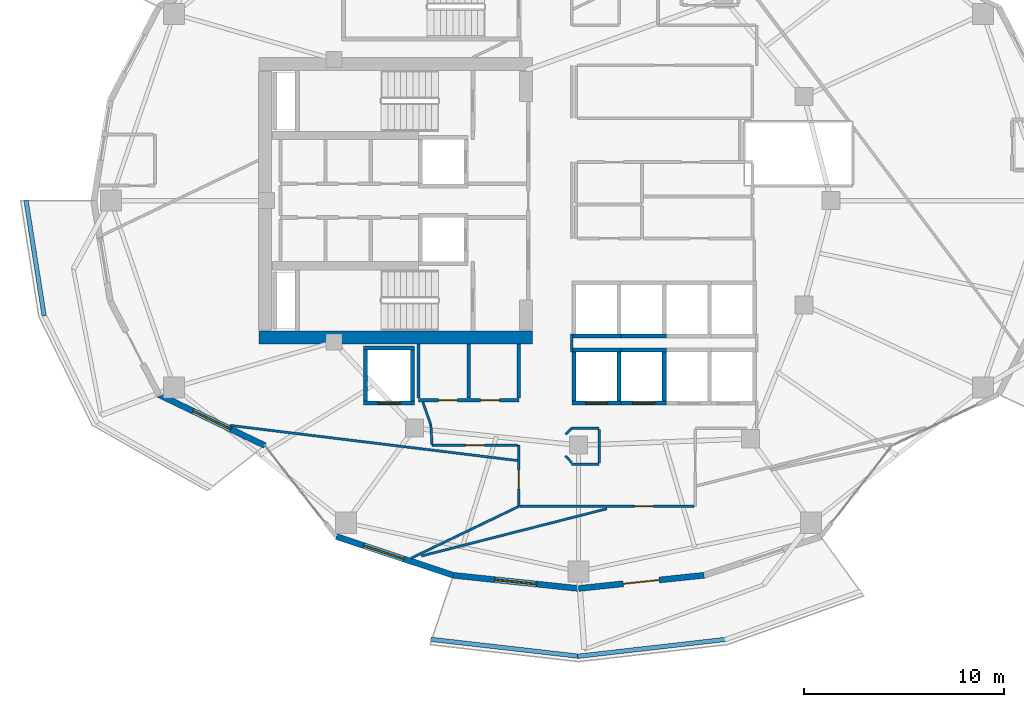
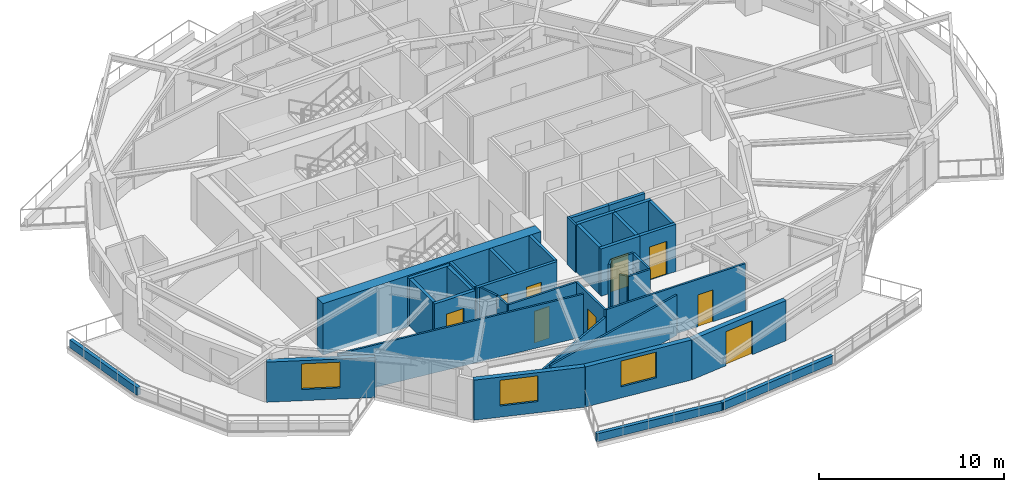
# One storey, part 8 of 19: 39 walls, 9 doors, 3 windows, 12 openings.
"""IFC4 building model written with IfcOpenShell, lengths in metres."""

from ifc_helpers import new_model, si_unit, direction, frame, frame_2d, origin, place, context, subcontext, project, spatial, rectangle, extrude, material, layer, layer_set, type_object, element, fill, save


model = new_model("IFC4")

# Units and contexts
model_context = context("Model", 3, precision=1e-05, world=origin(), true_north=direction((0.0, 1.0)))
body_context = subcontext(model_context, "Body", "Model", "MODEL_VIEW")
ifc_project = project(units=[si_unit("LENGTHUNIT", "METRE"), si_unit("AREAUNIT", "SQUARE_METRE"), si_unit("VOLUMEUNIT", "CUBIC_METRE"), si_unit("PLANEANGLEUNIT", "RADIAN"), si_unit("MASSUNIT", "GRAM", prefix="KILO")], contexts=[model_context])

# Site, building, storey
site_placement = place(None, origin())
site = spatial("IfcSite", under=ifc_project, at=site_placement, CompositionType="ELEMENT")
building_placement = place(site_placement, origin())
building = spatial("IfcBuilding", under=site, at=building_placement, Name="Kolvaren Gate Tower and Convention Centre", CompositionType="ELEMENT")
storey_placement = place(building_placement, frame((0.0, 0.0, 122.300048828125)))
storey = spatial("IfcBuildingStorey", under=building, at=storey_placement, Name="L30", CompositionType="ELEMENT", Elevation=122.300048828125)

# Wall, openings, doors
ifc_material_1 = material(Name="Autoclaved Aerated Masonry Blockwork Class 4 (4.0 MPa)", Category="masonry")
ifc_layer_1 = layer(ifc_material_1, 0.179931640625)
ifc_layer_set_1 = layer_set([ifc_layer_1], Name="Autoclaved Aerated Masonry Blockwork Class 4 (4.0 MPa)")
wall_type_1 = type_object("IfcWallType", Name="ARCH-WL-COMP-180", PredefinedType="SOLIDWALL", material=ifc_layer_set_1)
wall_1_placement = place(storey_placement, frame((22.14990234375, 17.050048828125, 0.0), z_axis=(0.0, 0.0, 1.0), x_axis=(1.0, 0.0, 0.0)))
wall_1 = element("IfcWall", 1, at=wall_1_placement, inside=storey, type_object=wall_type_1, Name="Interior Partition WL-L30-INT-012", PredefinedType="SOLIDWALL", context=body_context, shape_type="SweptSolid", body=[
    extrude(rectangle(XDim=5.0, YDim=0.179931640625, at=frame_2d((2.5, 0.0))), origin(), (0.0, 0.0, 1.0), 3.1298828125),
])
opening_1_placement = place(wall_1_placement, frame((0.97998046875, 0.0, 0.0)))
opening_1 = element("IfcOpeningElement", 2, at=opening_1_placement, cuts=wall_1, Name="Opening DR-01", PredefinedType="OPENING", context=body_context, shape_type="SweptSolid", body=[
    extrude(rectangle(XDim=0.949951171875, YDim=2.10009765625, at=frame_2d((0.47509765625, 1.050048828125))), frame((0.0, 0.099853515625, 0.0), z_axis=(0.0, -1.0, 0.0), x_axis=(1.0, 0.0, 0.0)), (0.0, 0.0, 1.0), 0.199951171875),
])
opening_2_placement = place(wall_1_placement, frame((3.070068359375, 0.0, 0.0)))
opening_2 = element("IfcOpeningElement", 3, at=opening_2_placement, cuts=wall_1, Name="Opening DR-01", PredefinedType="OPENING", context=body_context, shape_type="SweptSolid", body=[
    extrude(rectangle(XDim=0.949951171875, YDim=2.10009765625, at=frame_2d((0.47509765625, 1.050048828125))), frame((0.0, 0.099853515625, 0.0), z_axis=(0.0, -1.0, 0.0), x_axis=(1.0, 0.0, 0.0)), (0.0, 0.0, 1.0), 0.199951171875),
])
ifc_material_2 = material(Name="Painted Architectural Steelwork ASTM A500 Grade C 345 MPa", Category="steel")
door_type_1 = type_object("IfcDoorType", Name="ARCH-DR-RISER-950", OperationType="SINGLE_SWING_RIGHT", PredefinedType="DOOR", material=ifc_material_2)
door_1_placement = place(opening_1_placement, origin())
door_1 = element("IfcDoor", 4, at=door_1_placement, inside=storey, type_object=door_type_1, Name="West Valet Store Door", OperationType="SINGLE_SWING_RIGHT", OverallHeight=2.10009765625, OverallWidth=0.949951171875, PredefinedType="DOOR", context=body_context, shape_type="SweptSolid", body=[
    extrude(rectangle(XDim=0.949951171875, YDim=2.10009765625, at=frame_2d((0.47509765625, 1.050048828125))), frame((0.0, 0.02490234375, 0.0), z_axis=(0.0, -1.0, 0.0), x_axis=(1.0, 0.0, 0.0)), (0.0, 0.0, 1.0), 0.050048828125),
])
fill(opening_1, door_1)
door_2_placement = place(opening_2_placement, origin())
door_2 = element("IfcDoor", 5, at=door_2_placement, inside=storey, type_object=door_type_1, Name="Metering Switch Room Door", OperationType="SINGLE_SWING_LEFT", OverallHeight=2.10009765625, OverallWidth=0.949951171875, PredefinedType="DOOR", context=body_context, shape_type="SweptSolid", body=[
    extrude(rectangle(XDim=0.949951171875, YDim=2.10009765625, at=frame_2d((0.47509765625, 1.050048828125))), frame((0.0, 0.02490234375, 0.0), z_axis=(0.0, -1.0, 0.0), x_axis=(1.0, 0.0, 0.0)), (0.0, 0.0, 1.0), 0.050048828125),
])
fill(opening_2, door_2)

# Walls
for number, where, z_axis, x_axis, name in (
    (6, (24.64990234375, 17.14208984375, 0.0), (0.0, 0.0, 1.0), (0.0, 1.0, 0.0), "Interior Partition WL-L30-INT-014"),
    (7, (27.14990234375, 17.14208984375, 0.0), (0.0, 0.0, 1.0), (0.0, 1.0, 0.0), "Interior Partition WL-L30-INT-016"),
):
    element("IfcWall", number, at=place(storey_placement, frame(where, z_axis=z_axis, x_axis=x_axis)), inside=storey, type_object=wall_type_1, Name=name, PredefinedType="SOLIDWALL", context=body_context, shape_type="SweptSolid", body=[
        extrude(rectangle(XDim=2.705810546875, YDim=0.179931640625, at=frame_2d((1.35302734375, 0.0))), origin(), (0.0, 0.0, 1.0), 3.1298828125),
    ])

# Wall, opening, door
ifc_material_3 = material(Name="Fire-Rated Acoustic Gypsum Stud Partition", Category="gypsum")
ifc_layer_2 = layer(ifc_material_3, 0.1201171875)
ifc_layer_set_2 = layer_set([ifc_layer_2], Name="Fire-Rated Acoustic Gypsum Stud Partition")
wall_type_2 = type_object("IfcWallType", Name="ARCH-WL-PART-120", PredefinedType="PARTITIONING", material=ifc_layer_set_2)
wall_2_placement = place(storey_placement, frame((27.14990234375, 11.75, 0.0), z_axis=(0.0, 0.0, 1.0), x_axis=(0.0, 1.0, 0.0)))
wall_2 = element("IfcWall", 8, at=wall_2_placement, inside=storey, type_object=wall_type_2, Name="Interior Partition WL-L30-INT-015", PredefinedType="PARTITIONING", context=body_context, shape_type="SweptSolid", body=[
    extrude(rectangle(XDim=3.050048828125, YDim=0.1201171875, at=frame_2d((1.52490234375, 0.0))), origin(), (0.0, 0.0, 1.0), 3.1298828125),
])
opening_3_placement = place(wall_2_placement, frame((0.868408203125, 0.0, 0.0)))
opening_3 = element("IfcOpeningElement", 9, at=opening_3_placement, cuts=wall_2, Name="Opening DR-01", PredefinedType="OPENING", context=body_context, shape_type="SweptSolid", body=[
    extrude(rectangle(XDim=0.949951171875, YDim=2.10009765625, at=frame_2d((0.47509765625, 1.050048828125))), frame((0.0, 0.070068359375, 0.0), z_axis=(0.0, -1.0, 0.0), x_axis=(1.0, 0.0, 0.0)), (0.0, 0.0, 1.0), 0.14013671875),
])
door_3_placement = place(opening_3_placement, origin())
door_3 = element("IfcDoor", 10, at=door_3_placement, inside=storey, type_object=door_type_1, Name="Executive Seminar Conference Room Door", OperationType="SINGLE_SWING_RIGHT", OverallHeight=2.10009765625, OverallWidth=0.949951171875, PredefinedType="DOOR", context=body_context, shape_type="SweptSolid", body=[
    extrude(rectangle(XDim=0.949951171875, YDim=2.10009765625, at=frame_2d((0.47509765625, 1.050048828125))), frame((0.0, 0.02490234375, 0.0), z_axis=(0.0, -1.0, 0.0), x_axis=(1.0, 0.0, 0.0)), (0.0, 0.0, 1.0), 0.050048828125),
])
fill(opening_3, door_3)

# Wall
wall_3_placement = place(storey_placement, frame((29.780029296875, 15.64990234375, 0.0), z_axis=(0.0, 0.0, 1.0), x_axis=(1.0, 0.0, 0.0)))
element("IfcWall", 11, at=wall_3_placement, inside=storey, type_object=wall_type_2, Name="Interior Partition WL-L30-INT-030", PredefinedType="PARTITIONING", context=body_context, shape_type="SweptSolid", body=[
    extrude(rectangle(XDim=1.369873046875, YDim=0.1201171875, at=frame_2d((0.68505859375, 0.0))), origin(), (0.0, 0.0, 1.0), 3.1298828125),
])

# Wall, opening, door
wall_4_placement = place(storey_placement, frame((27.2119140625, 11.75, 0.0), z_axis=(0.0, 0.0, 1.0), x_axis=(1.0, 0.0, 0.0)))
wall_4 = element("IfcWall", 12, at=wall_4_placement, inside=storey, type_object=wall_type_2, Name="Interior Partition WL-L30-INT-033", PredefinedType="PARTITIONING", context=body_context, shape_type="SweptSolid", body=[
    extrude(rectangle(XDim=8.676025390625, YDim=0.1201171875, at=frame_2d((4.337890625, 0.0))), origin(), (0.0, 0.0, 1.0), 3.1298828125),
])
opening_4_placement = place(wall_4_placement, frame((5.692626953125, 0.0, 0.0)))
opening_4 = element("IfcOpeningElement", 13, at=opening_4_placement, cuts=wall_4, Name="Opening DR-01", PredefinedType="OPENING", context=body_context, shape_type="SweptSolid", body=[
    extrude(rectangle(XDim=0.949951171875, YDim=2.10009765625, at=frame_2d((0.47509765625, 1.050048828125))), frame((0.0, 0.070068359375, 0.0), z_axis=(0.0, -1.0, 0.0), x_axis=(1.0, 0.0, 0.0)), (0.0, 0.0, 1.0), 0.14013671875),
])
door_4_placement = place(opening_4_placement, origin())
door_4 = element("IfcDoor", 14, at=door_4_placement, inside=storey, type_object=door_type_1, Name="Executive Seminar Conference Room Door", OperationType="SINGLE_SWING_LEFT", OverallHeight=2.10009765625, OverallWidth=0.949951171875, PredefinedType="DOOR", context=body_context, shape_type="SweptSolid", body=[
    extrude(rectangle(XDim=0.949951171875, YDim=2.10009765625, at=frame_2d((0.47509765625, 1.050048828125))), frame((0.0, 0.02490234375, 0.0), z_axis=(0.0, -1.0, 0.0), x_axis=(1.0, 0.0, 0.0)), (0.0, 0.0, 1.0), 0.050048828125),
])
fill(opening_4, door_4)

wall_5_placement = place(storey_placement, frame((22.81396484375, 14.800048828125, 0.0), z_axis=(0.0, 0.0, 1.0), x_axis=(1.0, 0.0, 0.0)))
wall_5 = element("IfcWall", 15, at=wall_5_placement, inside=storey, type_object=wall_type_2, Name="Interior Partition WL-L30-INT-034", PredefinedType="PARTITIONING", context=body_context, shape_type="SweptSolid", body=[
    extrude(rectangle(XDim=4.27392578125, YDim=0.1201171875, at=frame_2d((2.136962890625, 0.0))), origin(), (0.0, 0.0, 1.0), 3.1298828125),
])
opening_5_placement = place(wall_5_placement, frame((1.662109375, 0.0, 0.0)))
opening_5 = element("IfcOpeningElement", 16, at=opening_5_placement, cuts=wall_5, Name="Opening DR-01", PredefinedType="OPENING", context=body_context, shape_type="SweptSolid", body=[
    extrude(rectangle(XDim=0.949951171875, YDim=2.10009765625, at=frame_2d((0.47509765625, 1.050048828125))), frame((0.0, 0.070068359375, 0.0), z_axis=(0.0, -1.0, 0.0), x_axis=(1.0, 0.0, 0.0)), (0.0, 0.0, 1.0), 0.14013671875),
])
door_5_placement = place(opening_5_placement, origin())
door_5 = element("IfcDoor", 17, at=door_5_placement, inside=storey, type_object=door_type_1, Name="Executive Seminar Conference Room Door", OperationType="SINGLE_SWING_LEFT", OverallHeight=2.10009765625, OverallWidth=0.949951171875, PredefinedType="DOOR", context=body_context, shape_type="SweptSolid", body=[
    extrude(rectangle(XDim=0.949951171875, YDim=2.10009765625, at=frame_2d((0.47509765625, 1.050048828125))), frame((0.0, 0.02490234375, 0.0), z_axis=(0.0, -1.0, 0.0), x_axis=(1.0, 0.0, 0.0)), (0.0, 0.0, 1.0), 0.050048828125),
])
fill(opening_5, door_5)

# Walls
wall_6_placement = place(storey_placement, frame((22.756103515625, 15.81103515625, 0.0), z_axis=(0.0, 0.0, 1.0), x_axis=(0.057139047697, -0.998366230012, 0.0)))
element("IfcWall", 18, at=wall_6_placement, inside=storey, type_object=wall_type_2, Name="Interior Partition WL-L30-INT-036", PredefinedType="PARTITIONING", context=body_context, shape_type="SweptSolid", body=[
    extrude(rectangle(XDim=1.0126953125, YDim=0.1201171875, at=frame_2d((0.50634765625, 0.0))), origin(), (0.0, 0.0, 1.0), 3.1298828125),
])
wall_7_placement = place(storey_placement, frame((22.353271484375, 16.9580078125, 0.0), z_axis=(0.0, 0.0, 1.0), x_axis=(0.331370038458, -0.943500873138, 0.0)))
element("IfcWall", 19, at=wall_7_placement, inside=storey, type_object=wall_type_2, Name="Interior Partition WL-L30-INT-037", PredefinedType="PARTITIONING", context=body_context, shape_type="SweptSolid", body=[
    extrude(rectangle(XDim=1.215576171875, YDim=0.1201171875, at=frame_2d((0.60791015625, 0.0))), origin(), (0.0, 0.0, 1.0), 3.1298828125),
])
wall_8_placement = place(storey_placement, frame((29.780029296875, 19.43994140625, 0.0), z_axis=(0.0, 0.0, 1.0), x_axis=(0.0, 1.0, 0.0)))
element("IfcWall", 20, at=wall_8_placement, inside=storey, type_object=wall_type_2, Name="Interior Partition WL-L30-INT-040", PredefinedType="PARTITIONING", context=body_context, shape_type="SweptSolid", body=[
    extrude(rectangle(XDim=0.920166015625, YDim=0.1201171875, at=frame_2d((0.4599609375, 0.0))), origin(), (0.0, 0.0, 1.0), 3.1298828125),
])
wall_9_placement = place(storey_placement, frame((29.47607421875, 15.3330078125, 0.0), z_axis=(0.0, 0.0, 1.0), x_axis=(0.692219273951, 0.721687243043, 0.0)))
element("IfcWall", 21, at=wall_9_placement, inside=storey, type_object=wall_type_2, Name="Interior Partition WL-L30-INT-056", PredefinedType="PARTITIONING", context=body_context, shape_type="SweptSolid", body=[
    extrude(rectangle(XDim=0.439208984375, YDim=0.1201171875, at=frame_2d((0.2197265625, 0.0))), origin(), (0.0, 0.0, 1.0), 3.1298828125),
])
wall_10_placement = place(storey_placement, frame((29.47607421875, 14.26708984375, 0.0), z_axis=(0.0, 0.0, 1.0), x_axis=(0.670659392016, -0.741765448037, 0.0)))
element("IfcWall", 22, at=wall_10_placement, inside=storey, type_object=wall_type_2, Name="Interior Partition WL-L30-INT-057", PredefinedType="PARTITIONING", context=body_context, shape_type="SweptSolid", body=[
    extrude(rectangle(XDim=0.453125, YDim=0.1201171875, at=frame_2d((0.2265625, 0.0))), origin(), (0.0, 0.0, 1.0), 3.1298828125),
])
wall_11_placement = place(storey_placement, frame((29.780029296875, 13.85009765625, 0.0), z_axis=(0.0, 0.0, 1.0), x_axis=(1.0, 0.0, 0.0)))
element("IfcWall", 23, at=wall_11_placement, inside=storey, type_object=wall_type_2, Name="Interior Partition WL-L30-INT-058", PredefinedType="PARTITIONING", context=body_context, shape_type="SweptSolid", body=[
    extrude(rectangle(XDim=1.369873046875, YDim=0.1201171875, at=frame_2d((0.68505859375, 0.0))), origin(), (0.0, 0.0, 1.0), 3.1298828125),
])
wall_12_placement = place(storey_placement, frame((31.14990234375, 13.912109375, 0.0), z_axis=(0.0, 0.0, 1.0), x_axis=(0.0, 1.0, 0.0)))
element("IfcWall", 24, at=wall_12_placement, inside=storey, type_object=wall_type_2, Name="Interior Partition WL-L30-INT-059", PredefinedType="PARTITIONING", context=body_context, shape_type="SweptSolid", body=[
    extrude(rectangle(XDim=1.67578125, YDim=0.1201171875, at=frame_2d((0.837890625, 0.0))), origin(), (0.0, 0.0, 1.0), 3.1298828125),
])
wall_13_placement = place(storey_placement, frame((12.73291015625, 15.78564453125, 0.0), z_axis=(0.0, 0.0, 1.0), x_axis=(0.992626568422, -0.121212605212, 0.0)))
element("IfcWall", 25, at=wall_13_placement, inside=storey, type_object=wall_type_2, Name="Interior Partition WL-L30-INT-063", PredefinedType="PARTITIONING", context=body_context, shape_type="SweptSolid", body=[
    extrude(rectangle(XDim=14.461669921875, YDim=0.1201171875, at=frame_2d((7.23095703125, 0.0))), origin(), (0.0, 0.0, 1.0), 2.81201171875),
])
wall_14_placement = place(storey_placement, frame((21.771484375, 9.1630859375, 0.0), z_axis=(0.0, 0.0, 1.0), x_axis=(0.901178068668, 0.433449061081, 0.0)))
element("IfcWall", 26, at=wall_14_placement, inside=storey, type_object=wall_type_2, Name="Interior Partition WL-L30-INT-064", PredefinedType="PARTITIONING", context=body_context, shape_type="SweptSolid", body=[
    extrude(rectangle(XDim=5.96826171875, YDim=0.1201171875, at=frame_2d((2.984130859375, 0.0))), origin(), (0.0, 0.0, 1.0), 2.65283203125),
])
wall_15_placement = place(storey_placement, frame((22.276123046875, 9.270263671875, 0.0), z_axis=(0.0, 0.0, 1.0), x_axis=(0.969075067926, 0.246766109349, 0.0)))
element("IfcWall", 27, at=wall_15_placement, inside=storey, type_object=wall_type_2, Name="Interior Partition WL-L30-INT-065", PredefinedType="PARTITIONING", context=body_context, shape_type="SweptSolid", body=[
    extrude(rectangle(XDim=9.55419921875, YDim=0.1201171875, at=frame_2d((4.777099609375, 0.0))), origin(), (0.0, 0.0, 1.0), 2.65283203125),
])
ifc_material_4 = material(Name="Piedmont Cream Honed Limestone Cladding", Category="masonry")
ifc_layer_3 = layer(ifc_material_4, 0.219970703125)
ifc_layer_set_3 = layer_set([ifc_layer_3], Name="Piedmont Cream Honed Limestone Cladding")
wall_type_3 = type_object("IfcWallType", Name="ARCH-WL-PLANTER-220", PredefinedType="PARAPET", material=ifc_layer_set_3)
wall_16_placement = place(storey_placement, frame((2.555908203125, 27.029296875, 0.0), z_axis=(0.0, 0.0, 1.0), x_axis=(0.154903030247, -0.987929679289, 0.0)))
element("IfcWall", 28, at=wall_16_placement, inside=storey, type_object=wall_type_3, Name="Vertical-Forest Balcony Stone Planter Kerb PK-L30-2.1", PredefinedType="PARAPET", context=body_context, shape_type="SweptSolid", body=[
    extrude(rectangle(XDim=5.845703125, YDim=0.219970703125, at=frame_2d((2.9228515625, 0.0))), origin(), (0.0, 0.0, 1.0), 0.52001953125),
])
for number, where, z_axis, x_axis, name in (
    (29, (22.747802734375, 5.114990234375, 0.0), (0.0, 0.0, 1.0), (0.993527615836, -0.11359082961, 0.0), "Vertical-Forest Balcony Stone Planter Kerb PK-L30-3.1"),
    (30, (30.07958984375, 4.266357421875, 0.0), (0.0, 0.0, 1.0), (0.993527615836, 0.11359082961, 0.0), "Vertical-Forest Balcony Stone Planter Kerb PK-L30-3.2"),
):
    element("IfcWall", number, at=place(storey_placement, frame(where, z_axis=z_axis, x_axis=x_axis)), inside=storey, type_object=wall_type_3, Name=name, PredefinedType="PARAPET", context=body_context, shape_type="SweptSolid", body=[
        extrude(rectangle(XDim=7.470947265625, YDim=0.219970703125, at=frame_2d((3.7353515625, 0.0))), origin(), (0.0, 0.0, 1.0), 0.52001953125),
    ])
ifc_layer_4 = layer(ifc_material_1, 0.199951171875)
ifc_layer_set_4 = layer_set([ifc_layer_4], Name="Autoclaved Aerated Masonry Blockwork Class 4 (4.0 MPa)")
wall_type_4 = type_object("IfcWallType", Name="ARCH-WL-SHAFT-200", PredefinedType="SOLIDWALL", material=ifc_layer_set_4)
wall_17_placement = place(storey_placement, frame((19.39990234375, 19.64990234375, 0.0), z_axis=(0.0, 0.0, 1.0), x_axis=(1.0, 0.0, 0.0)))
element("IfcWall", 31, at=wall_17_placement, inside=storey, type_object=wall_type_4, Name="Elevator SV-01 L30 Fire Shaft Wall N", PredefinedType="SOLIDWALL", context=body_context, shape_type="SweptSolid", body=[
    extrude(rectangle(XDim=2.550048828125, YDim=0.199951171875, at=frame_2d((1.27490234375, 0.0))), origin(), (0.0, 0.0, 1.0), 3.1298828125),
])

# Wall, opening, door
wall_18_placement = place(storey_placement, frame((19.39990234375, 16.89990234375, 0.0), z_axis=(0.0, 0.0, 1.0), x_axis=(1.0, 0.0, 0.0)))
wall_18 = element("IfcWall", 32, at=wall_18_placement, inside=storey, type_object=wall_type_4, Name="Elevator SV-01 L30 Fire Shaft Wall S", PredefinedType="SOLIDWALL", context=body_context, shape_type="SweptSolid", body=[
    extrude(rectangle(XDim=2.550048828125, YDim=0.199951171875, at=frame_2d((1.27490234375, 0.0))), origin(), (0.0, 0.0, 1.0), 3.1298828125),
])
opening_6_placement = place(wall_18_placement, frame((0.72509765625, 0.0, 0.0)))
opening_6 = element("IfcOpeningElement", 33, at=opening_6_placement, cuts=wall_18, Name="Opening LD", PredefinedType="OPENING", context=body_context, shape_type="SweptSolid", body=[
    extrude(rectangle(XDim=1.10009765625, YDim=2.199951171875, at=frame_2d((0.550048828125, 1.10009765625))), frame((0.0, 0.10986328125, 0.0), z_axis=(0.0, -1.0, 0.0), x_axis=(1.0, 0.0, 0.0)), (0.0, 0.0, 1.0), 0.219970703125),
])
ifc_material_5 = material(Name="Brushed Stainless Steel Grade 316L", Category="steel")
door_type_2 = type_object("IfcDoorType", Name="ARCH-DR-LIFT-1100", OperationType="SLIDING_TO_LEFT", PredefinedType="DOOR", material=ifc_material_5)
door_6_placement = place(opening_6_placement, origin())
door_6 = element("IfcDoor", 34, at=door_6_placement, inside=storey, type_object=door_type_2, Name="Elevator SV-01 L30 Sliding Landing Door", OperationType="SLIDING_TO_LEFT", OverallHeight=2.199951171875, OverallWidth=1.10009765625, PredefinedType="DOOR", context=body_context, shape_type="SweptSolid", body=[
    extrude(rectangle(XDim=1.10009765625, YDim=2.199951171875, at=frame_2d((0.550048828125, 1.10009765625))), frame((0.0, 0.02490234375, 0.0), z_axis=(0.0, -1.0, 0.0), x_axis=(1.0, 0.0, 0.0)), (0.0, 0.0, 1.0), 0.050048828125),
])
fill(opening_6, door_6)

# Walls
for number, where, z_axis, x_axis, name in (
    (35, (19.5, 17.010009765625, 0.0), (0.0, 0.0, 1.0), (0.0, 1.0, 0.0), "Elevator SV-01 L30 Fire Shaft Wall W"),
    (36, (21.85009765625, 17.010009765625, 0.0), (0.0, 0.0, 1.0), (0.0, 1.0, 0.0), "Elevator SV-01 L30 Fire Shaft Wall E"),
):
    element("IfcWall", number, at=place(storey_placement, frame(where, z_axis=z_axis, x_axis=x_axis)), inside=storey, type_object=wall_type_4, Name=name, PredefinedType="SOLIDWALL", context=body_context, shape_type="SweptSolid", body=[
        extrude(rectangle(XDim=2.530029296875, YDim=0.199951171875, at=frame_2d((1.26513671875, 0.0))), origin(), (0.0, 0.0, 1.0), 3.1298828125),
    ])
wall_19_placement = place(storey_placement, frame((29.800048828125, 19.550048828125, 0.0), z_axis=(0.0, 0.0, 1.0), x_axis=(1.0, 0.0, 0.0)))
element("IfcWall", 37, at=wall_19_placement, inside=storey, type_object=wall_type_4, Name="Elevator PL-05 L30 Fire Shaft Wall N", PredefinedType="SOLIDWALL", context=body_context, shape_type="SweptSolid", body=[
    extrude(rectangle(XDim=2.449951171875, YDim=0.199951171875, at=frame_2d((1.22509765625, 0.0))), origin(), (0.0, 0.0, 1.0), 3.1298828125),
])

# Wall, opening, door
wall_20_placement = place(storey_placement, frame((29.800048828125, 16.89990234375, 0.0), z_axis=(0.0, 0.0, 1.0), x_axis=(1.0, 0.0, 0.0)))
wall_20 = element("IfcWall", 38, at=wall_20_placement, inside=storey, type_object=wall_type_4, Name="Elevator PL-05 L30 Fire Shaft Wall S", PredefinedType="SOLIDWALL", context=body_context, shape_type="SweptSolid", body=[
    extrude(rectangle(XDim=2.449951171875, YDim=0.199951171875, at=frame_2d((1.22509765625, 0.0))), origin(), (0.0, 0.0, 1.0), 3.1298828125),
])
opening_7_placement = place(wall_20_placement, frame((0.675048828125, 0.0, 0.0)))
opening_7 = element("IfcOpeningElement", 39, at=opening_7_placement, cuts=wall_20, Name="Opening LD", PredefinedType="OPENING", context=body_context, shape_type="SweptSolid", body=[
    extrude(rectangle(XDim=1.10009765625, YDim=2.199951171875, at=frame_2d((0.550048828125, 1.10009765625))), frame((0.0, 0.10986328125, 0.0), z_axis=(0.0, -1.0, 0.0), x_axis=(1.0, 0.0, 0.0)), (0.0, 0.0, 1.0), 0.219970703125),
])
door_7_placement = place(opening_7_placement, origin())
door_7 = element("IfcDoor", 40, at=door_7_placement, inside=storey, type_object=door_type_2, Name="Elevator PL-05 L30 Sliding Landing Door", OperationType="SLIDING_TO_LEFT", OverallHeight=2.199951171875, OverallWidth=1.10009765625, PredefinedType="DOOR", context=body_context, shape_type="SweptSolid", body=[
    extrude(rectangle(XDim=1.10009765625, YDim=2.199951171875, at=frame_2d((0.550048828125, 1.10009765625))), frame((0.0, 0.02490234375, 0.0), z_axis=(0.0, -1.0, 0.0), x_axis=(1.0, 0.0, 0.0)), (0.0, 0.0, 1.0), 0.050048828125),
])
fill(opening_7, door_7)

# Walls
for number, where, z_axis, x_axis, name in (
    (41, (29.89990234375, 17.010009765625, 0.0), (0.0, 0.0, 1.0), (0.0, 1.0, 0.0), "Elevator PL-05 L30 Fire Shaft Wall W"),
    (42, (32.14990234375, 17.010009765625, 0.0), (0.0, 0.0, 1.0), (0.0, 1.0, 0.0), "Elevator PL-05 L30 Fire Shaft Wall E"),
):
    element("IfcWall", number, at=place(storey_placement, frame(where, z_axis=z_axis, x_axis=x_axis)), inside=storey, type_object=wall_type_4, Name=name, PredefinedType="SOLIDWALL", context=body_context, shape_type="SweptSolid", body=[
        extrude(rectangle(XDim=2.429931640625, YDim=0.199951171875, at=frame_2d((1.21484375, 0.0))), origin(), (0.0, 0.0, 1.0), 3.1298828125),
    ])
wall_21_placement = place(storey_placement, frame((32.25, 19.550048828125, 0.0), z_axis=(0.0, 0.0, 1.0), x_axis=(1.0, 0.0, 0.0)))
element("IfcWall", 43, at=wall_21_placement, inside=storey, type_object=wall_type_4, Name="Elevator PL-06 L30 Fire Shaft Wall N", PredefinedType="SOLIDWALL", context=body_context, shape_type="SweptSolid", body=[
    extrude(rectangle(XDim=2.25, YDim=0.199951171875, at=frame_2d((1.125, 0.0))), origin(), (0.0, 0.0, 1.0), 3.1298828125),
])

# Wall, opening, door
wall_22_placement = place(storey_placement, frame((32.25, 16.89990234375, 0.0), z_axis=(0.0, 0.0, 1.0), x_axis=(1.0, 0.0, 0.0)))
wall_22 = element("IfcWall", 44, at=wall_22_placement, inside=storey, type_object=wall_type_4, Name="Elevator PL-06 L30 Fire Shaft Wall S", PredefinedType="SOLIDWALL", context=body_context, shape_type="SweptSolid", body=[
    extrude(rectangle(XDim=2.25, YDim=0.199951171875, at=frame_2d((1.125, 0.0))), origin(), (0.0, 0.0, 1.0), 3.1298828125),
])
opening_8_placement = place(wall_22_placement, frame((0.574951171875, 0.0, 0.0)))
opening_8 = element("IfcOpeningElement", 45, at=opening_8_placement, cuts=wall_22, Name="Opening LD", PredefinedType="OPENING", context=body_context, shape_type="SweptSolid", body=[
    extrude(rectangle(XDim=1.10009765625, YDim=2.199951171875, at=frame_2d((0.550048828125, 1.10009765625))), frame((0.0, 0.10986328125, 0.0), z_axis=(0.0, -1.0, 0.0), x_axis=(1.0, 0.0, 0.0)), (0.0, 0.0, 1.0), 0.219970703125),
])
door_8_placement = place(opening_8_placement, origin())
door_8 = element("IfcDoor", 46, at=door_8_placement, inside=storey, type_object=door_type_2, Name="Elevator PL-06 L30 Sliding Landing Door", OperationType="SLIDING_TO_LEFT", OverallHeight=2.199951171875, OverallWidth=1.10009765625, PredefinedType="DOOR", context=body_context, shape_type="SweptSolid", body=[
    extrude(rectangle(XDim=1.10009765625, YDim=2.199951171875, at=frame_2d((0.550048828125, 1.10009765625))), frame((0.0, 0.02490234375, 0.0), z_axis=(0.0, -1.0, 0.0), x_axis=(1.0, 0.0, 0.0)), (0.0, 0.0, 1.0), 0.050048828125),
])
fill(opening_8, door_8)

# Walls
wall_23_placement = place(storey_placement, frame((34.39990234375, 17.010009765625, 0.0), z_axis=(0.0, 0.0, 1.0), x_axis=(0.0, 1.0, 0.0)))
element("IfcWall", 47, at=wall_23_placement, inside=storey, type_object=wall_type_4, Name="Elevator PL-06 L30 Fire Shaft Wall E", PredefinedType="SOLIDWALL", context=body_context, shape_type="SweptSolid", body=[
    extrude(rectangle(XDim=2.429931640625, YDim=0.199951171875, at=frame_2d((1.21484375, 0.0))), origin(), (0.0, 0.0, 1.0), 3.1298828125),
])
wall_24_placement = place(storey_placement, frame((29.800048828125, 20.25, 0.0), z_axis=(0.0, 0.0, 1.0), x_axis=(1.0, 0.0, 0.0)))
element("IfcWall", 48, at=wall_24_placement, inside=storey, type_object=wall_type_4, Name="Elevator PL-09 L30 Fire Shaft Wall S", PredefinedType="SOLIDWALL", context=body_context, shape_type="SweptSolid", body=[
    extrude(rectangle(XDim=2.449951171875, YDim=0.199951171875, at=frame_2d((1.22509765625, 0.0))), origin(), (0.0, 0.0, 1.0), 3.1298828125),
])
wall_25_placement = place(storey_placement, frame((32.25, 20.25, 0.0), z_axis=(0.0, 0.0, 1.0), x_axis=(1.0, 0.0, 0.0)))
element("IfcWall", 49, at=wall_25_placement, inside=storey, type_object=wall_type_4, Name="Elevator PL-10 L30 Fire Shaft Wall S", PredefinedType="SOLIDWALL", context=body_context, shape_type="SweptSolid", body=[
    extrude(rectangle(XDim=2.25, YDim=0.199951171875, at=frame_2d((1.125, 0.0))), origin(), (0.0, 0.0, 1.0), 3.1298828125),
])

# Wall, opening, window
ifc_layer_5 = layer(ifc_material_4, 0.300048828125)
ifc_layer_set_5 = layer_set([ifc_layer_5], Name="Piedmont Cream Honed Limestone Cladding")
wall_type_5 = type_object("IfcWallType", Name="ARCH-WL-STONE-300", PredefinedType="SOLIDWALL", material=ifc_layer_set_5)
wall_26_placement = place(storey_placement, frame((9.177978515625, 17.324951171875, 0.0), z_axis=(0.0, 0.0, 1.0), x_axis=(0.901370184739, -0.433049408339, 0.0)))
wall_26 = element("IfcWall", 50, at=wall_26_placement, inside=storey, type_object=wall_type_5, Name="Tower L30 Honed Stone Spandrel Wall EW-14", PredefinedType="SOLIDWALL", context=body_context, shape_type="SweptSolid", body=[
    extrude(rectangle(XDim=5.883544921875, YDim=0.300048828125, at=frame_2d((2.94189453125, 0.0))), origin(), (0.0, 0.0, 1.0), 2.65283203125),
])
opening_9_placement = place(wall_26_placement, frame((1.89208984375, 0.0, 0.739990234375)))
opening_9 = element("IfcOpeningElement", 51, at=opening_9_placement, cuts=wall_26, Name="Opening W-02", PredefinedType="OPENING", context=body_context, shape_type="SweptSolid", body=[
    extrude(rectangle(XDim=2.10009765625, YDim=1.699951171875, at=frame_2d((1.050048828125, 0.85009765625))), frame((0.0, 0.159912109375, 0.0), z_axis=(0.0, -1.0, 0.0), x_axis=(1.0, 0.0, 0.0)), (0.0, 0.0, 1.0), 0.320068359375),
])
ifc_material_6 = material(Name="Low-E Triple Insulated Glazing Unit 44 mm", Category="glass")
window_type = type_object("IfcWindowType", Name="ARCH-WN-HTL-2100", PartitioningType="SINGLE_PANEL", PredefinedType="WINDOW", material=ifc_material_6)
window_1_placement = place(opening_9_placement, origin())
window_1 = element("IfcWindow", 52, at=window_1_placement, inside=storey, type_object=window_type, Name="Tower L30 Punched Stone Facade Window W-14", OverallHeight=1.699951171875, OverallWidth=2.10009765625, PartitioningType="SINGLE_PANEL", PredefinedType="WINDOW", context=body_context, shape_type="SweptSolid", body=[
    extrude(rectangle(XDim=2.10009765625, YDim=1.699951171875, at=frame_2d((1.050048828125, 0.85009765625))), frame((0.0, 0.030029296875, 0.0), z_axis=(0.0, -1.0, 0.0), x_axis=(1.0, 0.0, 0.0)), (0.0, 0.0, 1.0), 0.06005859375),
])
fill(opening_9, window_1)

wall_27_placement = place(storey_placement, frame((18.03125, 10.242431640625, 0.0), z_axis=(0.0, 0.0, 1.0), x_axis=(0.949238009374, -0.314558741032, 0.0)))
wall_27 = element("IfcWall", 53, at=wall_27_placement, inside=storey, type_object=wall_type_5, Name="Tower L30 Honed Stone Spandrel Wall EW-16", PredefinedType="SOLIDWALL", context=body_context, shape_type="SweptSolid", body=[
    extrude(rectangle(XDim=6.1455078125, YDim=0.300048828125, at=frame_2d((3.07275390625, 0.0))), origin(), (0.0, 0.0, 1.0), 2.65283203125),
])
opening_10_placement = place(wall_27_placement, frame((1.449951171875, 0.0, 0.739990234375)))
opening_10 = element("IfcOpeningElement", 54, at=opening_10_placement, cuts=wall_27, Name="Opening W-02", PredefinedType="OPENING", context=body_context, shape_type="SweptSolid", body=[
    extrude(rectangle(XDim=2.10009765625, YDim=1.699951171875, at=frame_2d((1.050048828125, 0.85009765625))), frame((0.0, 0.159912109375, 0.0), z_axis=(0.0, -1.0, 0.0), x_axis=(1.0, 0.0, 0.0)), (0.0, 0.0, 1.0), 0.320068359375),
])
window_2_placement = place(opening_10_placement, origin())
window_2 = element("IfcWindow", 55, at=window_2_placement, inside=storey, type_object=window_type, Name="Tower L30 Punched Stone Facade Window W-16", OverallHeight=1.699951171875, OverallWidth=2.10009765625, PartitioningType="SINGLE_PANEL", PredefinedType="WINDOW", context=body_context, shape_type="SweptSolid", body=[
    extrude(rectangle(XDim=2.10009765625, YDim=1.699951171875, at=frame_2d((1.050048828125, 0.85009765625))), frame((0.0, 0.030029296875, 0.0), z_axis=(0.0, -1.0, 0.0), x_axis=(1.0, 0.0, 0.0)), (0.0, 0.0, 1.0), 0.06005859375),
])
fill(opening_10, window_2)

wall_28_placement = place(storey_placement, frame((23.86474609375, 8.309326171875, 0.0), z_axis=(0.0, 0.0, 1.0), x_axis=(0.994498012394, -0.104755445421, 0.0)))
wall_28 = element("IfcWall", 56, at=wall_28_placement, inside=storey, type_object=wall_type_5, Name="Tower L30 Honed Stone Spandrel Wall EW-17", PredefinedType="SOLIDWALL", context=body_context, shape_type="SweptSolid", body=[
    extrude(rectangle(XDim=6.294921875, YDim=0.300048828125, at=frame_2d((3.1474609375, 0.0))), origin(), (0.0, 0.0, 1.0), 2.65283203125),
])
opening_11_placement = place(wall_28_placement, frame((2.096923828125, 0.0, 0.739990234375)))
opening_11 = element("IfcOpeningElement", 57, at=opening_11_placement, cuts=wall_28, Name="Opening W-02", PredefinedType="OPENING", context=body_context, shape_type="SweptSolid", body=[
    extrude(rectangle(XDim=2.10009765625, YDim=1.699951171875, at=frame_2d((1.050048828125, 0.85009765625))), frame((0.0, 0.159912109375, 0.0), z_axis=(0.0, -1.0, 0.0), x_axis=(1.0, 0.0, 0.0)), (0.0, 0.0, 1.0), 0.320068359375),
])
window_3_placement = place(opening_11_placement, origin())
window_3 = element("IfcWindow", 58, at=window_3_placement, inside=storey, type_object=window_type, Name="Tower L30 Punched Stone Facade Window W-17", OverallHeight=1.699951171875, OverallWidth=2.10009765625, PartitioningType="SINGLE_PANEL", PredefinedType="WINDOW", context=body_context, shape_type="SweptSolid", body=[
    extrude(rectangle(XDim=2.10009765625, YDim=1.699951171875, at=frame_2d((1.050048828125, 0.85009765625))), frame((0.0, 0.030029296875, 0.0), z_axis=(0.0, -1.0, 0.0), x_axis=(1.0, 0.0, 0.0)), (0.0, 0.0, 1.0), 0.06005859375),
])
fill(opening_11, window_3)

# Wall, opening, door
wall_29_placement = place(storey_placement, frame((30.125, 7.64990234375, 0.0), z_axis=(0.0, 0.0, 1.0), x_axis=(0.994498012394, 0.104755445421, 0.0)))
wall_29 = element("IfcWall", 59, at=wall_29_placement, inside=storey, type_object=wall_type_5, Name="Tower L30 Honed Stone Spandrel Wall EW-18", PredefinedType="SOLIDWALL", context=body_context, shape_type="SweptSolid", body=[
    extrude(rectangle(XDim=6.294921875, YDim=0.300048828125, at=frame_2d((3.1474609375, 0.0))), origin(), (0.0, 0.0, 1.0), 2.65283203125),
])
opening_12_placement = place(wall_29_placement, frame((2.2470703125, 0.0, 0.0)))
opening_12 = element("IfcOpeningElement", 60, at=opening_12_placement, cuts=wall_29, Name="Opening DB-01", PredefinedType="OPENING", context=body_context, shape_type="SweptSolid", body=[
    extrude(rectangle(XDim=1.800048828125, YDim=2.25, at=frame_2d((0.89990234375, 1.125))), frame((0.0, 0.159912109375, 0.0), z_axis=(0.0, -1.0, 0.0), x_axis=(1.0, 0.0, 0.0)), (0.0, 0.0, 1.0), 0.320068359375),
])
ifc_material_7 = material(Name="Anodized Architectural Aluminium Alloy 6063-T6", Category="aluminium")
door_type_3 = type_object("IfcDoorType", Name="ARCH-DR-BALC-1800", OperationType="SLIDING_TO_LEFT", PredefinedType="DOOR", material=ifc_material_7)
door_9_placement = place(opening_12_placement, frame((1.800048828125, 0.0, 0.0), z_axis=(0.0, 0.0, 1.0), x_axis=(-1.0, 0.0, 0.0)))
door_9 = element("IfcDoor", 61, at=door_9_placement, inside=storey, type_object=door_type_3, Name="Planted Sky Terrace Access Door DB-L30-18", OperationType="SLIDING_TO_LEFT", OverallHeight=2.25, OverallWidth=1.800048828125, PredefinedType="DOOR", context=body_context, shape_type="SweptSolid", body=[
    extrude(rectangle(XDim=1.800048828125, YDim=2.25, at=frame_2d((0.89990234375, 1.125))), frame((0.0, 0.02490234375, 0.0), z_axis=(0.0, -1.0, 0.0), x_axis=(1.0, 0.0, 0.0)), (0.0, 0.0, 1.0), 0.050048828125),
])
fill(opening_12, door_9)

# Walls
ifc_material_8 = material(Name="Moisture-Resistant Cement-Board Acoustic Partition", Category="gypsum")
ifc_layer_6 = layer(ifc_material_8, 0.14990234375)
ifc_layer_set_6 = layer_set([ifc_layer_6], Name="Moisture-Resistant Cement-Board Acoustic Partition")
wall_type_6 = type_object("IfcWallType", Name="ARCH-WL-WET-150", PredefinedType="PARTITIONING", material=ifc_layer_set_6)
wall_30_placement = place(storey_placement, frame((22.14990234375, 17.14208984375, 0.0), z_axis=(0.0, 0.0, 1.0), x_axis=(0.0, 1.0, 0.0)))
element("IfcWall", 62, at=wall_30_placement, inside=storey, type_object=wall_type_6, Name="Interior Partition WL-L30-INT-013", PredefinedType="PARTITIONING", context=body_context, shape_type="SweptSolid", body=[
    extrude(rectangle(XDim=2.705810546875, YDim=0.14990234375, at=frame_2d((1.35302734375, 0.0))), origin(), (0.0, 0.0, 1.0), 3.1298828125),
])
ifc_material_9 = material(Name="Concrete C60/75", Category="concrete")
ifc_layer_7 = layer(ifc_material_9, 0.64990234375)
ifc_layer_set_7 = layer_set([ifc_layer_7], Name="Concrete C60/75")
wall_type_7 = type_object("IfcWallType", Name="STR-WL-CORE-650", PredefinedType="SHEAR", material=ifc_layer_set_7)
wall_31_placement = place(storey_placement, frame((14.175048828125, 20.175048828125, -0.27001953125), z_axis=(0.0, 0.0, 1.0), x_axis=(1.0, 0.0, 0.0)))
element("IfcWall", 63, at=wall_31_placement, inside=storey, type_object=wall_type_7, Name="Tower L30 Offset Core Shear Wall S", PredefinedType="SHEAR", context=body_context, shape_type="SweptSolid", body=[
    extrude(rectangle(XDim=13.64990234375, YDim=0.64990234375, at=frame_2d((6.824951171875, 0.0))), origin(), (0.0, 0.0, 1.0), 3.39990234375),
])

save(model, "model.ifc")
